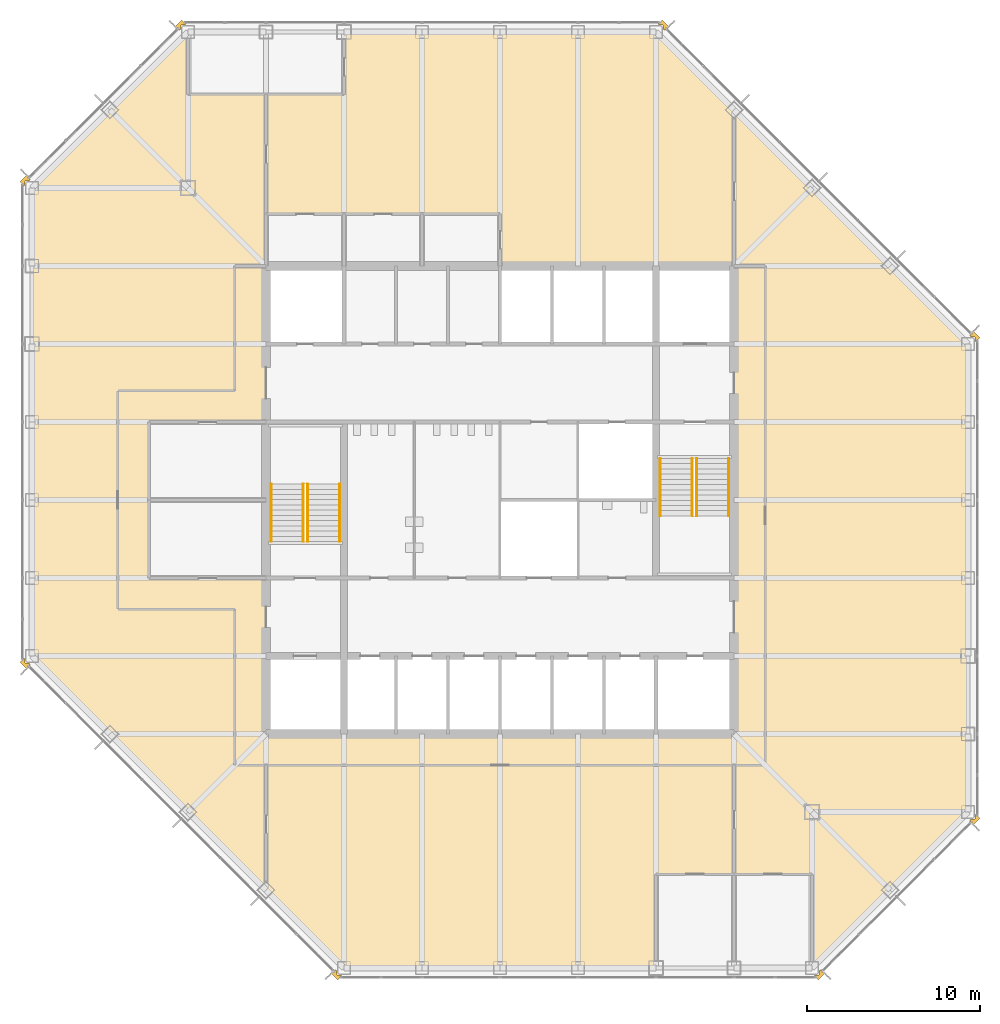
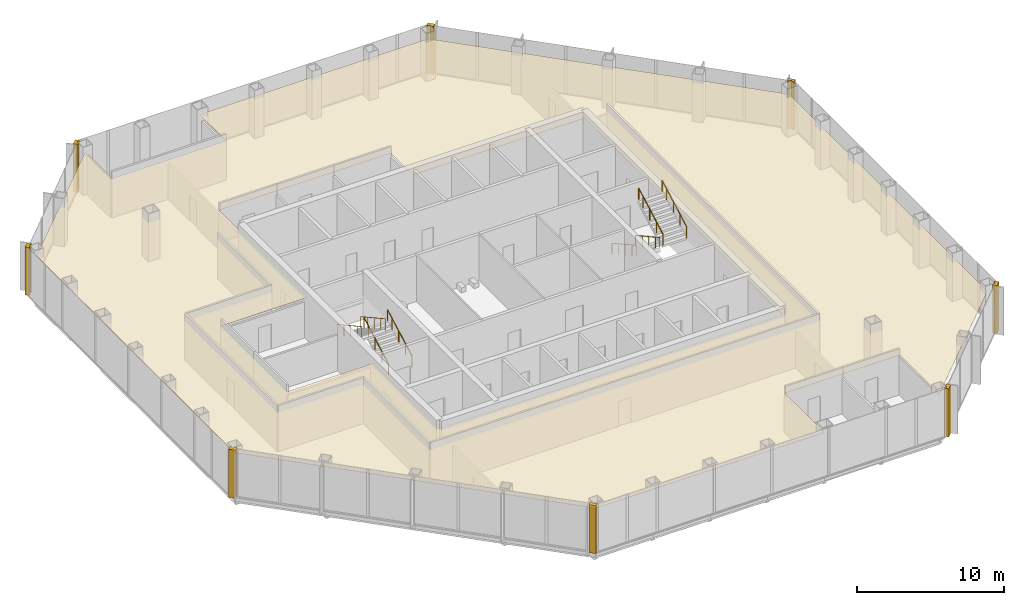
# One storey, part 11 of 12: 9 coverings, 8 railings.
"""IFC4 building model written with IfcOpenShell, lengths in metres."""

from ifc_helpers import new_model, si_unit, direction, frame, origin, origin_2d, place, context, subcontext, project, spatial, polyline, circle, outline, extrude, material, layer, layer_set, type_object, element, save


model = new_model("IFC4")

# Units and contexts
model_context = context("Model", 3, precision=1e-05, world=origin(), true_north=direction((0.0, 1.0)))
body_context = subcontext(model_context, "Body", "Model", "MODEL_VIEW")
ifc_project = project(units=[si_unit("LENGTHUNIT", "METRE"), si_unit("AREAUNIT", "SQUARE_METRE"), si_unit("VOLUMEUNIT", "CUBIC_METRE"), si_unit("PLANEANGLEUNIT", "RADIAN"), si_unit("MASSUNIT", "GRAM", prefix="KILO")], contexts=[model_context])

# Site, building, storey
site_placement = place(None, origin())
site = spatial("IfcSite", under=ifc_project, at=site_placement, CompositionType="ELEMENT")
building_placement = place(site_placement, origin())
building = spatial("IfcBuilding", under=site, at=building_placement, Name="Corais Broadcast Tower", CompositionType="ELEMENT")
storey_placement = place(building_placement, frame((0.0, 0.0, 127.60009765625)))
storey = spatial("IfcBuildingStorey", under=building, at=storey_placement, Name="L28", CompositionType="ELEMENT", Elevation=127.60009765625)

# Railings
ifc_material_1 = material(Name="Stainless steel handrail", Category="steel")
railing_type = type_object("IfcRailingType", Name="Handrail 920", PredefinedType="HANDRAIL", material=ifc_material_1)
for number, where, name in (
    (1, (17.75, 24.60009765625, 0.16650390625), "HR1 L28"),
    (2, (15.89990234375, 24.60009765625, 0.16650390625), "HR1 L28"),
):
    element("IfcRailing", number, at=place(storey_placement, frame(where)), inside=storey, type_object=railing_type, Name=name, PredefinedType="HANDRAIL", context=body_context, shape_type="SweptSolid", body=[
        extrude(circle(Radius=0.02392578125, at=origin_2d()), frame((0.0, 0.0, 0.89599609375), z_axis=(0.0, 0.875504475178, 0.483210010185), x_axis=(-1.0, 0.0, 0.0)), (0.0, 0.0, 1.0), 3.79443359375),
        extrude(circle(Radius=0.02099609375, at=origin_2d()), origin(), (0.0, 0.0, 1.0), 0.871826171875),
        extrude(circle(Radius=0.02099609375, at=origin_2d()), frame((0.0, 0.906005859375, 0.5)), (0.0, 0.0, 1.0), 0.871826171875),
        extrude(circle(Radius=0.02099609375, at=origin_2d()), frame((0.0, 1.81201171875, 1.0)), (0.0, 0.0, 1.0), 0.871826171875),
        extrude(circle(Radius=0.02099609375, at=origin_2d()), frame((0.0, 2.718017578125, 1.500244140625)), (0.0, 0.0, 1.0), 0.871826171875),
        extrude(circle(Radius=0.02099609375, at=origin_2d()), frame((0.0, 3.322021484375, 1.83349609375)), (0.0, 0.0, 1.0), 0.871826171875),
    ])
for number, where, name in (
    (3, (13.800048828125, 27.922119140625, 2.16650390625), "HR1 L28"),
    (4, (15.64990234375, 27.922119140625, 2.16650390625), "HR1 L28"),
    (5, (36.25, 29.39990234375, 0.16650390625), "HR1 L28"),
    (6, (38.10009765625, 29.39990234375, 0.16650390625), "HR1 L28"),
):
    element("IfcRailing", number, at=place(storey_placement, frame(where)), inside=storey, type_object=railing_type, Name=name, PredefinedType="HANDRAIL", context=body_context, shape_type="SweptSolid", body=[
        extrude(circle(Radius=0.02392578125, at=origin_2d()), frame((0.0, 0.0, 0.89599609375), z_axis=(0.0, -0.875504475178, 0.483210010185), x_axis=(1.0, 0.0, 0.0)), (0.0, 0.0, 1.0), 3.79443359375),
        extrude(circle(Radius=0.02099609375, at=origin_2d()), origin(), (0.0, 0.0, 1.0), 0.871826171875),
        extrude(circle(Radius=0.02099609375, at=origin_2d()), frame((0.0, -0.906005859375, 0.5)), (0.0, 0.0, 1.0), 0.871826171875),
        extrude(circle(Radius=0.02099609375, at=origin_2d()), frame((0.0, -1.81201171875, 1.0)), (0.0, 0.0, 1.0), 0.871826171875),
        extrude(circle(Radius=0.02099609375, at=origin_2d()), frame((0.0, -2.718017578125, 1.500244140625)), (0.0, 0.0, 1.0), 0.871826171875),
        extrude(circle(Radius=0.02099609375, at=origin_2d()), frame((0.0, -3.322021484375, 1.83349609375)), (0.0, 0.0, 1.0), 0.871826171875),
    ])
for number, where, name in (
    (7, (40.199951171875, 26.077880859375, 2.16650390625), "HR1 L28"),
    (8, (38.35009765625, 26.077880859375, 2.16650390625), "HR1 L28"),
):
    element("IfcRailing", number, at=place(storey_placement, frame(where)), inside=storey, type_object=railing_type, Name=name, PredefinedType="HANDRAIL", context=body_context, shape_type="SweptSolid", body=[
        extrude(circle(Radius=0.02392578125, at=origin_2d()), frame((0.0, 0.0, 0.89599609375), z_axis=(0.0, 0.875504475178, 0.483210010185), x_axis=(-1.0, 0.0, 0.0)), (0.0, 0.0, 1.0), 3.79443359375),
        extrude(circle(Radius=0.02099609375, at=origin_2d()), origin(), (0.0, 0.0, 1.0), 0.871826171875),
        extrude(circle(Radius=0.02099609375, at=origin_2d()), frame((0.0, 0.906005859375, 0.5)), (0.0, 0.0, 1.0), 0.871826171875),
        extrude(circle(Radius=0.02099609375, at=origin_2d()), frame((0.0, 1.81201171875, 1.0)), (0.0, 0.0, 1.0), 0.871826171875),
        extrude(circle(Radius=0.02099609375, at=origin_2d()), frame((0.0, 2.718017578125, 1.500244140625)), (0.0, 0.0, 1.0), 0.871826171875),
        extrude(circle(Radius=0.02099609375, at=origin_2d()), frame((0.0, 3.322021484375, 1.83349609375)), (0.0, 0.0, 1.0), 0.871826171875),
    ])

# Coverings
ifc_material_2 = material(Name="Granite stone cladding", Category="masonry")
ifc_layer_1 = layer(ifc_material_2, 0.324951171875)
ifc_layer_set_1 = layer_set([ifc_layer_1], Name="Granite stone cladding")
covering_type_1 = type_object("IfcCoveringType", Name="Stone corner pier cladding 500x325", PredefinedType="CLADDING", material=ifc_layer_set_1)
covering_1_placement = place(storey_placement, origin())
element("IfcCovering", 9, at=covering_1_placement, inside=storey, type_object=covering_type_1, Name="SP1 stone corner pier L28", PredefinedType="CLADDING", context=body_context, shape_type="SweptSolid", body=[
    extrude(outline(polyline([(17.860595703125, -0.461669921875), (17.799072265625, -0.39990234375), (17.60009765625, -0.39990234375), (17.60009765625, -0.200927734375), (17.507080078125, -0.108154296875), (17.277099609375, -0.337890625), (17.630859375, -0.69140625), (17.860595703125, -0.461669921875)])), origin(), (0.0, 0.0, 1.0), 4.0),
])
covering_2_placement = place(storey_placement, origin())
element("IfcCovering", 10, at=covering_2_placement, inside=storey, type_object=covering_type_1, Name="SP1 stone corner pier L28", PredefinedType="CLADDING", context=body_context, shape_type="SweptSolid", body=[
    extrude(outline(polyline([(-0.39990234375, 17.799072265625), (-0.461669921875, 17.860595703125), (-0.69140625, 17.630859375), (-0.337890625, 17.277099609375), (-0.108154296875, 17.507080078125), (-0.200927734375, 17.60009765625), (-0.39990234375, 17.60009765625), (-0.39990234375, 17.799072265625)])), origin(), (0.0, 0.0, 1.0), 4.0),
])
covering_3_placement = place(storey_placement, origin())
element("IfcCovering", 11, at=covering_3_placement, inside=storey, type_object=covering_type_1, Name="SP1 stone corner pier L28", PredefinedType="CLADDING", context=body_context, shape_type="SweptSolid", body=[
    extrude(outline(polyline([(-0.461669921875, 45.139404296875), (-0.39990234375, 45.200927734375), (-0.39990234375, 45.39990234375), (-0.200927734375, 45.39990234375), (-0.108154296875, 45.492919921875), (-0.337890625, 45.722900390625), (-0.69140625, 45.369140625), (-0.461669921875, 45.139404296875)])), origin(), (0.0, 0.0, 1.0), 4.0),
])
covering_4_placement = place(storey_placement, origin())
element("IfcCovering", 12, at=covering_4_placement, inside=storey, type_object=covering_type_1, Name="SP1 stone corner pier L28", PredefinedType="CLADDING", context=body_context, shape_type="SweptSolid", body=[
    extrude(outline(polyline([(8.799072265625, 54.39990234375), (8.860595703125, 54.461669921875), (8.630859375, 54.69140625), (8.277099609375, 54.337890625), (8.507080078125, 54.108154296875), (8.60009765625, 54.200927734375), (8.60009765625, 54.39990234375), (8.799072265625, 54.39990234375)])), origin(), (0.0, 0.0, 1.0), 4.0),
])
covering_5_placement = place(storey_placement, origin())
element("IfcCovering", 13, at=covering_5_placement, inside=storey, type_object=covering_type_1, Name="SP1 stone corner pier L28", PredefinedType="CLADDING", context=body_context, shape_type="SweptSolid", body=[
    extrude(outline(polyline([(36.139404296875, 54.461669921875), (36.200927734375, 54.39990234375), (36.39990234375, 54.39990234375), (36.39990234375, 54.200927734375), (36.492919921875, 54.108154296875), (36.722900390625, 54.337890625), (36.369140625, 54.69140625), (36.139404296875, 54.461669921875)])), origin(), (0.0, 0.0, 1.0), 4.0),
])
covering_6_placement = place(storey_placement, origin())
element("IfcCovering", 14, at=covering_6_placement, inside=storey, type_object=covering_type_1, Name="SP1 stone corner pier L28", PredefinedType="CLADDING", context=body_context, shape_type="SweptSolid", body=[
    extrude(outline(polyline([(54.39990234375, 36.200927734375), (54.461669921875, 36.139404296875), (54.69140625, 36.369140625), (54.337890625, 36.722900390625), (54.108154296875, 36.492919921875), (54.200927734375, 36.39990234375), (54.39990234375, 36.39990234375), (54.39990234375, 36.200927734375)])), origin(), (0.0, 0.0, 1.0), 4.0),
])
covering_7_placement = place(storey_placement, origin())
element("IfcCovering", 15, at=covering_7_placement, inside=storey, type_object=covering_type_1, Name="SP1 stone corner pier L28", PredefinedType="CLADDING", context=body_context, shape_type="SweptSolid", body=[
    extrude(outline(polyline([(54.461669921875, 8.860595703125), (54.39990234375, 8.799072265625), (54.39990234375, 8.60009765625), (54.200927734375, 8.60009765625), (54.108154296875, 8.507080078125), (54.337890625, 8.277099609375), (54.69140625, 8.630859375), (54.461669921875, 8.860595703125)])), origin(), (0.0, 0.0, 1.0), 4.0),
])
covering_8_placement = place(storey_placement, origin())
element("IfcCovering", 16, at=covering_8_placement, inside=storey, type_object=covering_type_1, Name="SP1 stone corner pier L28", PredefinedType="CLADDING", context=body_context, shape_type="SweptSolid", body=[
    extrude(outline(polyline([(45.200927734375, -0.39990234375), (45.139404296875, -0.461669921875), (45.369140625, -0.69140625), (45.722900390625, -0.337890625), (45.492919921875, -0.108154296875), (45.39990234375, -0.200927734375), (45.39990234375, -0.39990234375), (45.200927734375, -0.39990234375)])), origin(), (0.0, 0.0, 1.0), 4.0),
])
ifc_material_3 = material(Name="Mineral fibre ceiling tile", Category="mineral")
ifc_layer_2 = layer(ifc_material_3, 0.02001953125)
ifc_layer_set_2 = layer_set([ifc_layer_2], Name="Mineral fibre ceiling tile")
covering_type_2 = type_object("IfcCoveringType", Name="Suspended ceiling", PredefinedType="CEILING", material=ifc_layer_set_2)
covering_9_placement = place(storey_placement, frame((0.0, 0.0, 3.219970703125)))
element("IfcCovering", 17, at=covering_9_placement, inside=storey, type_object=covering_type_2, Name="CE1 ceiling L28", PredefinedType="CEILING", context=body_context, shape_type="SweptSolid", body=[
    extrude(outline(polyline([(18.0, 0.0), (13.501708984375, 4.498291015625), (13.499755859375, 4.500244140625), (0.0, 18.0), (0.0, 45.0), (9.0, 54.0), (9.0, 50.39990234375), (18.0, 50.39990234375), (18.0, 54.0), (36.0, 54.0), (54.0, 36.0), (54.0, 9.0), (45.0, 0.0), (45.0, 5.39990234375), (36.0, 5.39990234375), (36.0, 0.0), (18.0, 0.0)]), holes=[polyline([(6.75, 22.5), (13.5, 22.5), (13.5, 13.5), (40.5, 13.5), (40.5, 40.5), (27.0, 40.5), (27.0, 43.5), (13.5, 43.5), (13.5, 31.5), (6.75, 31.5), (6.75, 22.5)])]), origin(), (0.0, 0.0, 1.0), 0.02001953125),
])

save(model, "model.ifc")
